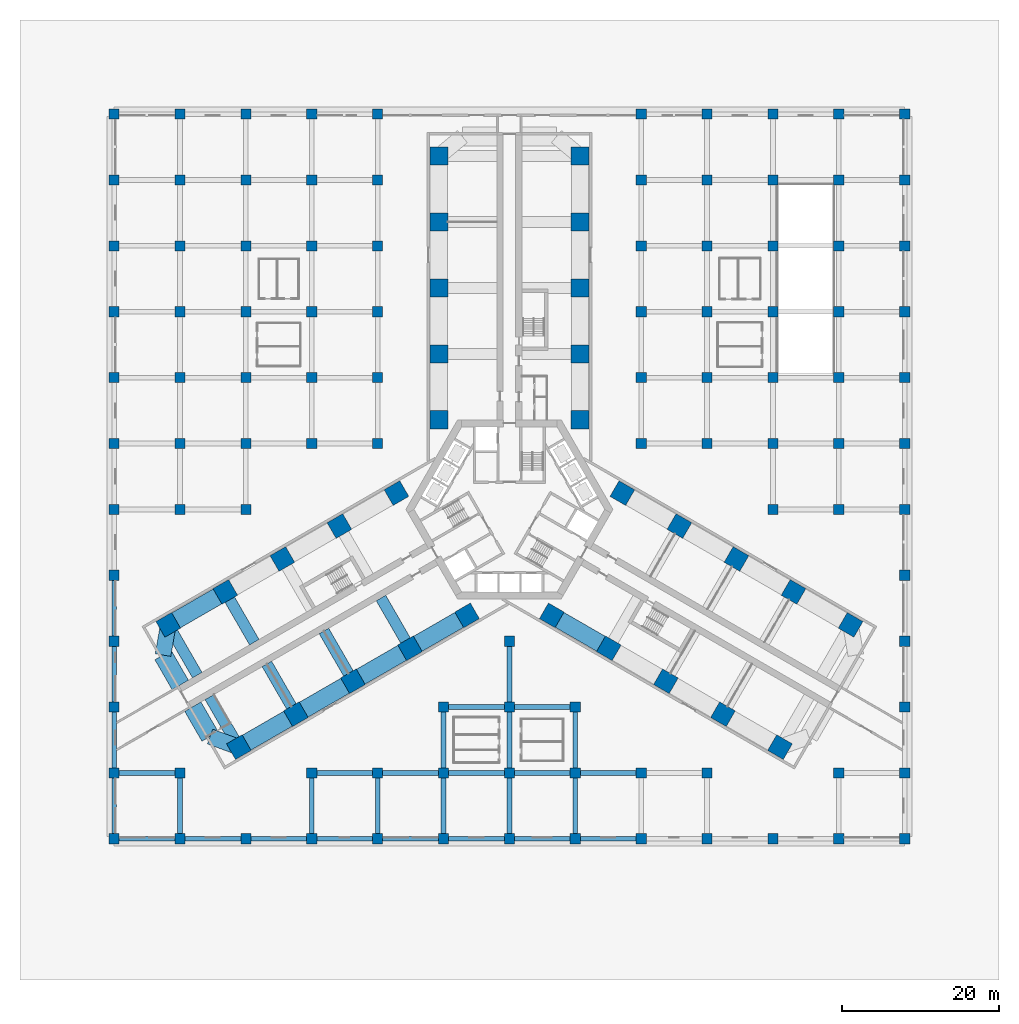
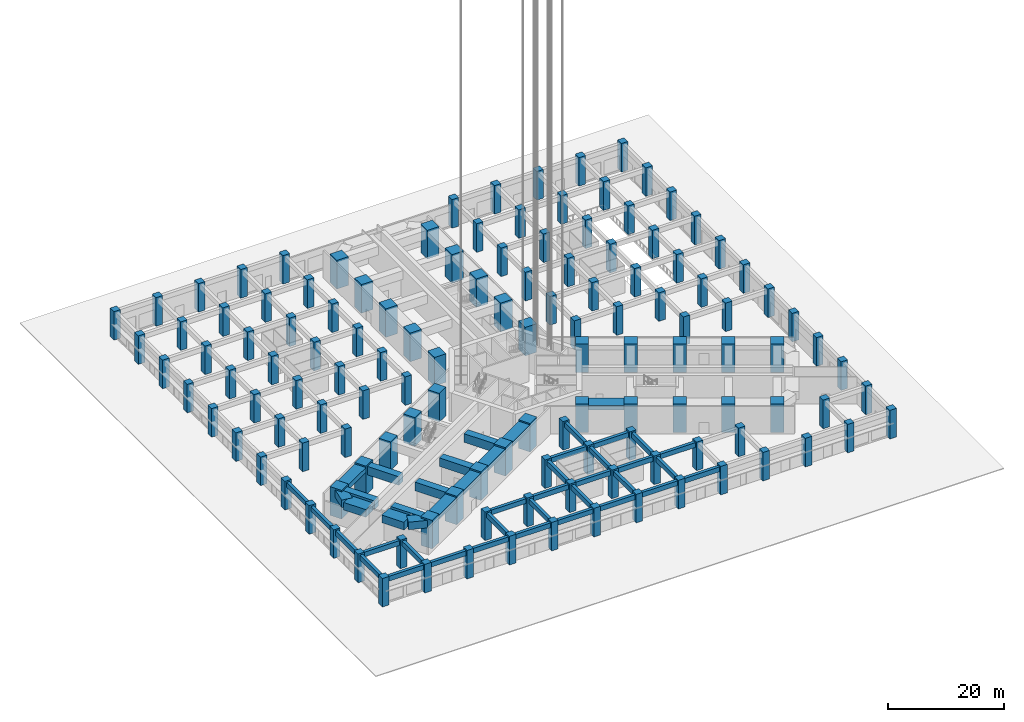
# One storey, part 1 of 33: 130 columns, 46 beams.
"""IFC4 building model written with IfcOpenShell, lengths in metres."""

from ifc_helpers import new_model, si_unit, direction, frame, origin, origin_2d, place, context, subcontext, project, spatial, rectangle, extrude, material, material_profile, profile_set, type_object, element, save


model = new_model("IFC4")

# Units and contexts
model_context = context("Model", 3, precision=1e-05, world=origin(), true_north=direction((0.0, 1.0)))
body_context = subcontext(model_context, "Body", "Model", "MODEL_VIEW")
ifc_project = project(units=[si_unit("LENGTHUNIT", "METRE"), si_unit("AREAUNIT", "SQUARE_METRE"), si_unit("VOLUMEUNIT", "CUBIC_METRE"), si_unit("PLANEANGLEUNIT", "RADIAN"), si_unit("MASSUNIT", "GRAM", prefix="KILO")], contexts=[model_context])

# Site, building, storey
site_placement = place(None, origin())
site = spatial("IfcSite", under=ifc_project, at=site_placement, CompositionType="ELEMENT")
building_placement = place(site_placement, origin())
building = spatial("IfcBuilding", under=site, at=building_placement, Name="Impinga Residences", CompositionType="ELEMENT")
storey_placement = place(building_placement, origin())
storey = spatial("IfcBuildingStorey", under=building, at=storey_placement, Name="L00", CompositionType="ELEMENT", Elevation=0.0)

# Columns
ifc_material_1 = material(Name="Concrete C70/85", Category="concrete")
ifc_material_profile_1 = material_profile(ifc_material_1, rectangle(XDim=2.300048828125, YDim=2.300048828125, at=origin_2d()), Name="RC 2300x2300")
ifc_profile_set_1 = profile_set([ifc_material_profile_1], Name="Concrete C70/85")
column_type_1 = type_object("IfcColumnType", Name="C1 2300x2300 column", PredefinedType="COLUMN", material=ifc_profile_set_1)
for number, where, z_axis, x_axis, name in (
    (1, (-9.0, 11.431640625, 0.0), (0.0, 0.0, 1.0), (1.0, 0.0, 0.0), "Column C1 N1/NA L00"),
    (2, (9.0, 11.431640625, 0.0), (0.0, 0.0, 1.0), (1.0, 0.0, 0.0), "Column C1 N1/NF L00"),
    (3, (-9.0, 19.83154296875, 0.0), (0.0, 0.0, 1.0), (1.0, 0.0, 0.0), "Column C1 N2/NA L00"),
    (4, (9.0, 19.83154296875, 0.0), (0.0, 0.0, 1.0), (1.0, 0.0, 0.0), "Column C1 N2/NF L00"),
    (5, (-9.0, 28.2314453125, 0.0), (0.0, 0.0, 1.0), (1.0, 0.0, 0.0), "Column C1 N3/NA L00"),
    (6, (9.0, 28.2314453125, 0.0), (0.0, 0.0, 1.0), (1.0, 0.0, 0.0), "Column C1 N3/NF L00"),
    (7, (-9.0, 36.631591796875, 0.0), (0.0, 0.0, 1.0), (1.0, 0.0, 0.0), "Column C1 N4/NA L00"),
    (8, (9.0, 36.631591796875, 0.0), (0.0, 0.0, 1.0), (1.0, 0.0, 0.0), "Column C1 N4/NF L00"),
    (9, (-9.0, 45.031494140625, 0.0), (0.0, 0.0, 1.0), (1.0, 0.0, 0.0), "Column C1 N5/NA L00"),
    (10, (9.0, 45.031494140625, 0.0), (0.0, 0.0, 1.0), (1.0, 0.0, 0.0), "Column C1 N5/NF L00"),
    (11, (-5.39990234375, -13.510009765625, 0.0), (0.0, 0.0, 1.0), (-0.5, 0.866025403784, 0.0), "Column C1 W1/WA L00"),
    (12, (-14.39990234375, 2.078369140625, 0.0), (0.0, 0.0, 1.0), (-0.5, 0.866025403784, 0.0), "Column C1 W1/WF L00"),
    (13, (-12.674560546875, -17.7099609375, 0.0), (0.0, 0.0, 1.0), (-0.5, 0.866025403784, 0.0), "Column C1 W2/WA L00"),
    (14, (-21.674560546875, -2.12158203125, 0.0), (0.0, 0.0, 1.0), (-0.5, 0.866025403784, 0.0), "Column C1 W2/WF L00"),
    (15, (-19.94921875, -21.909912109375, 0.0), (0.0, 0.0, 1.0), (-0.5, 0.866025403784, 0.0), "Column C1 W3/WA L00"),
    (16, (-28.94921875, -6.321533203125, 0.0), (0.0, 0.0, 1.0), (-0.5, 0.866025403784, 0.0), "Column C1 W3/WF L00"),
    (17, (-27.223876953125, -26.110107421875, 0.0), (0.0, 0.0, 1.0), (-0.5, 0.866025403784, 0.0), "Column C1 W4/WA L00"),
    (18, (-36.223876953125, -10.521484375, 0.0), (0.0, 0.0, 1.0), (-0.5, 0.866025403784, 0.0), "Column C1 W4/WF L00"),
    (19, (-34.49853515625, -30.31005859375, 0.0), (0.0, 0.0, 1.0), (-0.5, 0.866025403784, 0.0), "Column C1 W5/WA L00"),
    (20, (-43.49853515625, -14.721435546875, 0.0), (0.0, 0.0, 1.0), (-0.5, 0.866025403784, 0.0), "Column C1 W5/WF L00"),
    (21, (14.39990234375, 2.078369140625, 0.0), (0.0, 0.0, 1.0), (-0.5, -0.866025403784, 0.0), "Column C1 E1/EA L00"),
    (22, (5.39990234375, -13.510009765625, 0.0), (0.0, 0.0, 1.0), (-0.5, -0.866025403784, 0.0), "Column C1 E1/EF L00"),
    (23, (21.674560546875, -2.12158203125, 0.0), (0.0, 0.0, 1.0), (-0.5, -0.866025403784, 0.0), "Column C1 E2/EA L00"),
    (24, (12.674560546875, -17.7099609375, 0.0), (0.0, 0.0, 1.0), (-0.5, -0.866025403784, 0.0), "Column C1 E2/EF L00"),
    (25, (28.94921875, -6.321533203125, 0.0), (0.0, 0.0, 1.0), (-0.5, -0.866025403784, 0.0), "Column C1 E3/EA L00"),
    (26, (19.94921875, -21.909912109375, 0.0), (0.0, 0.0, 1.0), (-0.5, -0.866025403784, 0.0), "Column C1 E3/EF L00"),
    (27, (36.223876953125, -10.521484375, 0.0), (0.0, 0.0, 1.0), (-0.5, -0.866025403784, 0.0), "Column C1 E4/EA L00"),
    (28, (27.223876953125, -26.110107421875, 0.0), (0.0, 0.0, 1.0), (-0.5, -0.866025403784, 0.0), "Column C1 E4/EF L00"),
    (29, (43.49853515625, -14.721435546875, 0.0), (0.0, 0.0, 1.0), (-0.5, -0.866025403784, 0.0), "Column C1 E5/EA L00"),
    (30, (34.49853515625, -30.31005859375, 0.0), (0.0, 0.0, 1.0), (-0.5, -0.866025403784, 0.0), "Column C1 E5/EF L00"),
):
    element("IfcColumn", number, at=place(storey_placement, frame(where, z_axis=z_axis, x_axis=x_axis)), inside=storey, type_object=column_type_1, Name=name, PredefinedType="COLUMN", context=body_context, shape_type="SweptSolid", body=[
        extrude(rectangle(XDim=2.300048828125, YDim=2.300048828125, at=origin_2d()), origin(), (0.0, 0.0, 1.0), 6.0),
    ])
ifc_material_profile_2 = material_profile(ifc_material_1, rectangle(XDim=1.300048828125, YDim=1.300048828125, at=origin_2d()), Name="RC 1300x1300")
ifc_profile_set_2 = profile_set([ifc_material_profile_2], Name="Concrete C70/85")
column_type_2 = type_object("IfcColumnType", Name="PC1 1300x1300 column", PredefinedType="COLUMN", material=ifc_profile_set_2)
for number, where, z_axis, x_axis, name in (
    (31, (-50.39990234375, -42.0, 0.0), (0.0, 0.0, 1.0), (1.0, 0.0, 0.0), "Column PC1 1/A L00"),
    (32, (-50.39990234375, -33.60009765625, 0.0), (0.0, 0.0, 1.0), (1.0, 0.0, 0.0), "Column PC1 1/B L00"),
    (33, (-50.39990234375, -25.199951171875, 0.0), (0.0, 0.0, 1.0), (1.0, 0.0, 0.0), "Column PC1 1/C L00"),
    (34, (-50.39990234375, -16.800048828125, 0.0), (0.0, 0.0, 1.0), (1.0, 0.0, 0.0), "Column PC1 1/D L00"),
    (35, (-50.39990234375, -8.39990234375, 0.0), (0.0, 0.0, 1.0), (1.0, 0.0, 0.0), "Column PC1 1/E L00"),
    (36, (-50.39990234375, 0.0, 0.0), (0.0, 0.0, 1.0), (1.0, 0.0, 0.0), "Column PC1 1/F L00"),
    (37, (-50.39990234375, 8.39990234375, 0.0), (0.0, 0.0, 1.0), (1.0, 0.0, 0.0), "Column PC1 1/G L00"),
    (38, (-50.39990234375, 16.800048828125, 0.0), (0.0, 0.0, 1.0), (1.0, 0.0, 0.0), "Column PC1 1/H L00"),
    (39, (-50.39990234375, 25.199951171875, 0.0), (0.0, 0.0, 1.0), (1.0, 0.0, 0.0), "Column PC1 1/J L00"),
    (40, (-50.39990234375, 33.60009765625, 0.0), (0.0, 0.0, 1.0), (1.0, 0.0, 0.0), "Column PC1 1/K L00"),
    (41, (-50.39990234375, 42.0, 0.0), (0.0, 0.0, 1.0), (1.0, 0.0, 0.0), "Column PC1 1/L L00"),
    (42, (-50.39990234375, 50.39990234375, 0.0), (0.0, 0.0, 1.0), (1.0, 0.0, 0.0), "Column PC1 1/M L00"),
    (43, (-42.0, -42.0, 0.0), (0.0, 0.0, 1.0), (1.0, 0.0, 0.0), "Column PC1 2/A L00"),
    (44, (-42.0, -33.60009765625, 0.0), (0.0, 0.0, 1.0), (1.0, 0.0, 0.0), "Column PC1 2/B L00"),
    (45, (-42.0, 0.0, 0.0), (0.0, 0.0, 1.0), (1.0, 0.0, 0.0), "Column PC1 2/F L00"),
    (46, (-42.0, 8.39990234375, 0.0), (0.0, 0.0, 1.0), (1.0, 0.0, 0.0), "Column PC1 2/G L00"),
    (47, (-42.0, 16.800048828125, 0.0), (0.0, 0.0, 1.0), (1.0, 0.0, 0.0), "Column PC1 2/H L00"),
    (48, (-42.0, 25.199951171875, 0.0), (0.0, 0.0, 1.0), (1.0, 0.0, 0.0), "Column PC1 2/J L00"),
    (49, (-42.0, 33.60009765625, 0.0), (0.0, 0.0, 1.0), (1.0, 0.0, 0.0), "Column PC1 2/K L00"),
    (50, (-42.0, 42.0, 0.0), (0.0, 0.0, 1.0), (1.0, 0.0, 0.0), "Column PC1 2/L L00"),
    (51, (-42.0, 50.39990234375, 0.0), (0.0, 0.0, 1.0), (1.0, 0.0, 0.0), "Column PC1 2/M L00"),
    (52, (-33.60009765625, -42.0, 0.0), (0.0, 0.0, 1.0), (1.0, 0.0, 0.0), "Column PC1 3/A L00"),
    (53, (-33.60009765625, 0.0, 0.0), (0.0, 0.0, 1.0), (1.0, 0.0, 0.0), "Column PC1 3/F L00"),
    (54, (-33.60009765625, 8.39990234375, 0.0), (0.0, 0.0, 1.0), (1.0, 0.0, 0.0), "Column PC1 3/G L00"),
    (55, (-33.60009765625, 16.800048828125, 0.0), (0.0, 0.0, 1.0), (1.0, 0.0, 0.0), "Column PC1 3/H L00"),
    (56, (-33.60009765625, 25.199951171875, 0.0), (0.0, 0.0, 1.0), (1.0, 0.0, 0.0), "Column PC1 3/J L00"),
    (57, (-33.60009765625, 33.60009765625, 0.0), (0.0, 0.0, 1.0), (1.0, 0.0, 0.0), "Column PC1 3/K L00"),
    (58, (-33.60009765625, 42.0, 0.0), (0.0, 0.0, 1.0), (1.0, 0.0, 0.0), "Column PC1 3/L L00"),
    (59, (-33.60009765625, 50.39990234375, 0.0), (0.0, 0.0, 1.0), (1.0, 0.0, 0.0), "Column PC1 3/M L00"),
    (60, (-25.199951171875, -42.0, 0.0), (0.0, 0.0, 1.0), (1.0, 0.0, 0.0), "Column PC1 4/A L00"),
    (61, (-25.199951171875, -33.60009765625, 0.0), (0.0, 0.0, 1.0), (1.0, 0.0, 0.0), "Column PC1 4/B L00"),
    (62, (-25.199951171875, 8.39990234375, 0.0), (0.0, 0.0, 1.0), (1.0, 0.0, 0.0), "Column PC1 4/G L00"),
    (63, (-25.199951171875, 16.800048828125, 0.0), (0.0, 0.0, 1.0), (1.0, 0.0, 0.0), "Column PC1 4/H L00"),
    (64, (-25.199951171875, 25.199951171875, 0.0), (0.0, 0.0, 1.0), (1.0, 0.0, 0.0), "Column PC1 4/J L00"),
    (65, (-25.199951171875, 33.60009765625, 0.0), (0.0, 0.0, 1.0), (1.0, 0.0, 0.0), "Column PC1 4/K L00"),
    (66, (-25.199951171875, 42.0, 0.0), (0.0, 0.0, 1.0), (1.0, 0.0, 0.0), "Column PC1 4/L L00"),
    (67, (-25.199951171875, 50.39990234375, 0.0), (0.0, 0.0, 1.0), (1.0, 0.0, 0.0), "Column PC1 4/M L00"),
    (68, (-16.800048828125, -42.0, 0.0), (0.0, 0.0, 1.0), (1.0, 0.0, 0.0), "Column PC1 5/A L00"),
    (69, (-16.800048828125, -33.60009765625, 0.0), (0.0, 0.0, 1.0), (1.0, 0.0, 0.0), "Column PC1 5/B L00"),
    (70, (-16.800048828125, 8.39990234375, 0.0), (0.0, 0.0, 1.0), (1.0, 0.0, 0.0), "Column PC1 5/G L00"),
    (71, (-16.800048828125, 16.800048828125, 0.0), (0.0, 0.0, 1.0), (1.0, 0.0, 0.0), "Column PC1 5/H L00"),
    (72, (-16.800048828125, 25.199951171875, 0.0), (0.0, 0.0, 1.0), (1.0, 0.0, 0.0), "Column PC1 5/J L00"),
    (73, (-16.800048828125, 33.60009765625, 0.0), (0.0, 0.0, 1.0), (1.0, 0.0, 0.0), "Column PC1 5/K L00"),
    (74, (-16.800048828125, 42.0, 0.0), (0.0, 0.0, 1.0), (1.0, 0.0, 0.0), "Column PC1 5/L L00"),
    (75, (-16.800048828125, 50.39990234375, 0.0), (0.0, 0.0, 1.0), (1.0, 0.0, 0.0), "Column PC1 5/M L00"),
    (76, (-8.39990234375, -42.0, 0.0), (0.0, 0.0, 1.0), (1.0, 0.0, 0.0), "Column PC1 6/A L00"),
    (77, (-8.39990234375, -33.60009765625, 0.0), (0.0, 0.0, 1.0), (1.0, 0.0, 0.0), "Column PC1 6/B L00"),
    (78, (-8.39990234375, -25.199951171875, 0.0), (0.0, 0.0, 1.0), (1.0, 0.0, 0.0), "Column PC1 6/C L00"),
    (79, (0.0, -42.0, 0.0), (0.0, 0.0, 1.0), (1.0, 0.0, 0.0), "Column PC1 7/A L00"),
    (80, (0.0, -33.60009765625, 0.0), (0.0, 0.0, 1.0), (1.0, 0.0, 0.0), "Column PC1 7/B L00"),
    (81, (0.0, -25.199951171875, 0.0), (0.0, 0.0, 1.0), (1.0, 0.0, 0.0), "Column PC1 7/C L00"),
    (82, (0.0, -16.800048828125, 0.0), (0.0, 0.0, 1.0), (1.0, 0.0, 0.0), "Column PC1 7/D L00"),
    (83, (8.39990234375, -42.0, 0.0), (0.0, 0.0, 1.0), (1.0, 0.0, 0.0), "Column PC1 8/A L00"),
    (84, (8.39990234375, -33.60009765625, 0.0), (0.0, 0.0, 1.0), (1.0, 0.0, 0.0), "Column PC1 8/B L00"),
    (85, (8.39990234375, -25.199951171875, 0.0), (0.0, 0.0, 1.0), (1.0, 0.0, 0.0), "Column PC1 8/C L00"),
    (86, (16.800048828125, -42.0, 0.0), (0.0, 0.0, 1.0), (1.0, 0.0, 0.0), "Column PC1 9/A L00"),
    (87, (16.800048828125, -33.60009765625, 0.0), (0.0, 0.0, 1.0), (1.0, 0.0, 0.0), "Column PC1 9/B L00"),
    (88, (16.800048828125, 8.39990234375, 0.0), (0.0, 0.0, 1.0), (1.0, 0.0, 0.0), "Column PC1 9/G L00"),
    (89, (16.800048828125, 16.800048828125, 0.0), (0.0, 0.0, 1.0), (1.0, 0.0, 0.0), "Column PC1 9/H L00"),
    (90, (16.800048828125, 25.199951171875, 0.0), (0.0, 0.0, 1.0), (1.0, 0.0, 0.0), "Column PC1 9/J L00"),
    (91, (16.800048828125, 33.60009765625, 0.0), (0.0, 0.0, 1.0), (1.0, 0.0, 0.0), "Column PC1 9/K L00"),
    (92, (16.800048828125, 42.0, 0.0), (0.0, 0.0, 1.0), (1.0, 0.0, 0.0), "Column PC1 9/L L00"),
    (93, (16.800048828125, 50.39990234375, 0.0), (0.0, 0.0, 1.0), (1.0, 0.0, 0.0), "Column PC1 9/M L00"),
    (94, (25.199951171875, -42.0, 0.0), (0.0, 0.0, 1.0), (1.0, 0.0, 0.0), "Column PC1 10/A L00"),
    (95, (25.199951171875, -33.60009765625, 0.0), (0.0, 0.0, 1.0), (1.0, 0.0, 0.0), "Column PC1 10/B L00"),
    (96, (25.199951171875, 8.39990234375, 0.0), (0.0, 0.0, 1.0), (1.0, 0.0, 0.0), "Column PC1 10/G L00"),
    (97, (25.199951171875, 16.800048828125, 0.0), (0.0, 0.0, 1.0), (1.0, 0.0, 0.0), "Column PC1 10/H L00"),
    (98, (25.199951171875, 25.199951171875, 0.0), (0.0, 0.0, 1.0), (1.0, 0.0, 0.0), "Column PC1 10/J L00"),
    (99, (25.199951171875, 33.60009765625, 0.0), (0.0, 0.0, 1.0), (1.0, 0.0, 0.0), "Column PC1 10/K L00"),
    (100, (25.199951171875, 42.0, 0.0), (0.0, 0.0, 1.0), (1.0, 0.0, 0.0), "Column PC1 10/L L00"),
    (101, (25.199951171875, 50.39990234375, 0.0), (0.0, 0.0, 1.0), (1.0, 0.0, 0.0), "Column PC1 10/M L00"),
    (102, (33.60009765625, -42.0, 0.0), (0.0, 0.0, 1.0), (1.0, 0.0, 0.0), "Column PC1 11/A L00"),
    (103, (33.60009765625, 0.0, 0.0), (0.0, 0.0, 1.0), (1.0, 0.0, 0.0), "Column PC1 11/F L00"),
    (104, (33.60009765625, 8.39990234375, 0.0), (0.0, 0.0, 1.0), (1.0, 0.0, 0.0), "Column PC1 11/G L00"),
    (105, (33.60009765625, 16.800048828125, 0.0), (0.0, 0.0, 1.0), (1.0, 0.0, 0.0), "Column PC1 11/H L00"),
    (106, (33.60009765625, 25.199951171875, 0.0), (0.0, 0.0, 1.0), (1.0, 0.0, 0.0), "Column PC1 11/J L00"),
    (107, (33.60009765625, 33.60009765625, 0.0), (0.0, 0.0, 1.0), (1.0, 0.0, 0.0), "Column PC1 11/K L00"),
    (108, (33.60009765625, 42.0, 0.0), (0.0, 0.0, 1.0), (1.0, 0.0, 0.0), "Column PC1 11/L L00"),
    (109, (33.60009765625, 50.39990234375, 0.0), (0.0, 0.0, 1.0), (1.0, 0.0, 0.0), "Column PC1 11/M L00"),
    (110, (42.0, -42.0, 0.0), (0.0, 0.0, 1.0), (1.0, 0.0, 0.0), "Column PC1 12/A L00"),
    (111, (42.0, -33.60009765625, 0.0), (0.0, 0.0, 1.0), (1.0, 0.0, 0.0), "Column PC1 12/B L00"),
    (112, (42.0, 0.0, 0.0), (0.0, 0.0, 1.0), (1.0, 0.0, 0.0), "Column PC1 12/F L00"),
    (113, (42.0, 8.39990234375, 0.0), (0.0, 0.0, 1.0), (1.0, 0.0, 0.0), "Column PC1 12/G L00"),
    (114, (42.0, 16.800048828125, 0.0), (0.0, 0.0, 1.0), (1.0, 0.0, 0.0), "Column PC1 12/H L00"),
    (115, (42.0, 25.199951171875, 0.0), (0.0, 0.0, 1.0), (1.0, 0.0, 0.0), "Column PC1 12/J L00"),
    (116, (42.0, 33.60009765625, 0.0), (0.0, 0.0, 1.0), (1.0, 0.0, 0.0), "Column PC1 12/K L00"),
    (117, (42.0, 42.0, 0.0), (0.0, 0.0, 1.0), (1.0, 0.0, 0.0), "Column PC1 12/L L00"),
    (118, (42.0, 50.39990234375, 0.0), (0.0, 0.0, 1.0), (1.0, 0.0, 0.0), "Column PC1 12/M L00"),
    (119, (50.39990234375, -42.0, 0.0), (0.0, 0.0, 1.0), (1.0, 0.0, 0.0), "Column PC1 13/A L00"),
    (120, (50.39990234375, -33.60009765625, 0.0), (0.0, 0.0, 1.0), (1.0, 0.0, 0.0), "Column PC1 13/B L00"),
    (121, (50.39990234375, -25.199951171875, 0.0), (0.0, 0.0, 1.0), (1.0, 0.0, 0.0), "Column PC1 13/C L00"),
    (122, (50.39990234375, -16.800048828125, 0.0), (0.0, 0.0, 1.0), (1.0, 0.0, 0.0), "Column PC1 13/D L00"),
    (123, (50.39990234375, -8.39990234375, 0.0), (0.0, 0.0, 1.0), (1.0, 0.0, 0.0), "Column PC1 13/E L00"),
    (124, (50.39990234375, 0.0, 0.0), (0.0, 0.0, 1.0), (1.0, 0.0, 0.0), "Column PC1 13/F L00"),
    (125, (50.39990234375, 8.39990234375, 0.0), (0.0, 0.0, 1.0), (1.0, 0.0, 0.0), "Column PC1 13/G L00"),
    (126, (50.39990234375, 16.800048828125, 0.0), (0.0, 0.0, 1.0), (1.0, 0.0, 0.0), "Column PC1 13/H L00"),
    (127, (50.39990234375, 25.199951171875, 0.0), (0.0, 0.0, 1.0), (1.0, 0.0, 0.0), "Column PC1 13/J L00"),
    (128, (50.39990234375, 33.60009765625, 0.0), (0.0, 0.0, 1.0), (1.0, 0.0, 0.0), "Column PC1 13/K L00"),
    (129, (50.39990234375, 42.0, 0.0), (0.0, 0.0, 1.0), (1.0, 0.0, 0.0), "Column PC1 13/L L00"),
    (130, (50.39990234375, 50.39990234375, 0.0), (0.0, 0.0, 1.0), (1.0, 0.0, 0.0), "Column PC1 13/M L00"),
):
    element("IfcColumn", number, at=place(storey_placement, frame(where, z_axis=z_axis, x_axis=x_axis)), inside=storey, type_object=column_type_2, Name=name, PredefinedType="COLUMN", context=body_context, shape_type="SweptSolid", body=[
        extrude(rectangle(XDim=1.300048828125, YDim=1.300048828125, at=origin_2d()), origin(), (0.0, 0.0, 1.0), 6.0),
    ])

# Beams
ifc_material_2 = material(Name="Concrete C60/75", Category="concrete")
ifc_material_profile_3 = material_profile(ifc_material_2, rectangle(XDim=2.0, YDim=1.60009765625, at=origin_2d()), Name="RC 2000x1600")
ifc_profile_set_3 = profile_set([ifc_material_profile_3], Name="Concrete C60/75")
beam_type_1 = type_object("IfcBeamType", Name="CB2 2000x1600 wing end cantilever beam", PredefinedType="BEAM", material=ifc_profile_set_3)
beam_1_placement = place(storey_placement, frame((-34.49853515625, -30.31005859375, 4.89990234375), z_axis=(-0.938520178725, 0.345224382289, 0.0), x_axis=(-0.345224382289, -0.938520178725, 0.0)))
element("IfcBeam", 131, at=beam_1_placement, inside=storey, type_object=beam_type_1, Name="Beam CB2 WB W5-WX level L01", PredefinedType="BEAM", context=body_context, shape_type="SweptSolid", body=[
    extrude(rectangle(XDim=2.0, YDim=1.60009765625, at=origin_2d()), origin(), (0.0, 0.0, 1.0), 3.905029296875),
])
beam_2_placement = place(storey_placement, frame((-43.49853515625, -14.721435546875, 4.89990234375), z_axis=(-0.170296298948, -0.985392901621, 0.0), x_axis=(0.985392901621, -0.170296298948, 0.0)))
element("IfcBeam", 132, at=beam_2_placement, inside=storey, type_object=beam_type_1, Name="Beam CB2 WE W5-WX level L01", PredefinedType="BEAM", context=body_context, shape_type="SweptSolid", body=[
    extrude(rectangle(XDim=2.0, YDim=1.60009765625, at=origin_2d()), origin(), (0.0, 0.0, 1.0), 3.9052734375),
])
ifc_material_profile_4 = material_profile(ifc_material_2, rectangle(XDim=1.39990234375, YDim=1.800048828125, at=origin_2d()), Name="RC 1400x1800")
ifc_profile_set_4 = profile_set([ifc_material_profile_4], Name="Concrete C60/75")
beam_type_2 = type_object("IfcBeamType", Name="CG4 1400x1800 cross girder on a wing bay line under the podium floors", PredefinedType="BEAM", material=ifc_profile_set_4)
for number, where, z_axis, x_axis, name in (
    (133, (-16.37451171875, -11.301513671875, 4.800048828125), (0.500003285667, -0.866023506795, 0.0), (0.866023506795, 0.500003285667, 0.0), "Beam CG4 W2 WC/WA level L01"),
    (134, (-23.649169921875, -15.50146484375, 4.800048828125), (0.500003285667, -0.866023506795, 0.0), (0.866023506795, 0.500003285667, 0.0), "Beam CG4 W3 WC/WA level L01"),
):
    element("IfcBeam", number, at=place(storey_placement, frame(where, z_axis=z_axis, x_axis=x_axis)), inside=storey, type_object=beam_type_2, Name=name, PredefinedType="BEAM", context=body_context, shape_type="SweptSolid", body=[
        extrude(rectangle(XDim=1.39990234375, YDim=1.800048828125, at=origin_2d()), origin(), (0.0, 0.0, 1.0), 7.39990234375),
    ])
for number, where, z_axis, x_axis, name in (
    (135, (-30.923828125, -19.701416015625, 4.800048828125), (0.499988999718, -0.866031754707, 0.0), (0.866031754707, 0.499988999718, 0.0), "Beam CG4 W4 WC/WA level L01"),
    (136, (-38.198486328125, -23.9013671875, 4.800048828125), (0.499988999718, -0.866031754707, 0.0), (0.866031754707, 0.499988999718, 0.0), "Beam CG4 W5 WC/WA level L01"),
    (137, (-32.52392578125, -16.93017578125, 4.800048828125), (-0.499988999718, 0.866031754707, 0.0), (-0.866031754707, -0.499988999718, 0.0), "Beam CG4 W4 WC/WF level L01"),
    (138, (-39.79833984375, -21.130126953125, 4.800048828125), (-0.500013743233, 0.86601746898, 0.0), (-0.86601746898, -0.500013743233, 0.0), "Beam CG4 W5 WC/WF level L01"),
):
    element("IfcBeam", number, at=place(storey_placement, frame(where, z_axis=z_axis, x_axis=x_axis)), inside=storey, type_object=beam_type_2, Name=name, PredefinedType="BEAM", context=body_context, shape_type="SweptSolid", body=[
        extrude(rectangle(XDim=1.39990234375, YDim=1.800048828125, at=origin_2d()), origin(), (0.0, 0.0, 1.0), 7.400146484375),
    ])
ifc_material_profile_5 = material_profile(ifc_material_2, rectangle(XDim=2.39990234375, YDim=1.60009765625, at=origin_2d()), Name="RC 2400x1600")
ifc_profile_set_5 = profile_set([ifc_material_profile_5], Name="Concrete C60/75")
beam_type_3 = type_object("IfcBeamType", Name="EB2 2400x1600 wing end beam", PredefinedType="BEAM", material=ifc_profile_set_5)
for number, where, z_axis, x_axis, name in (
    (139, (-38.16357421875, -28.9619140625, 4.89990234375), (-0.499988222896, 0.866032203192, 0.0), (-0.866032203192, -0.499988222896, 0.0), "Beam EB2 WX4 level L01"),
    (140, (-41.963623046875, -22.380126953125, 4.89990234375), (-0.499988222896, 0.866032203192, 0.0), (-0.866032203192, -0.499988222896, 0.0), "Beam EB2 WX4 level L01"),
):
    element("IfcBeam", number, at=place(storey_placement, frame(where, z_axis=z_axis, x_axis=x_axis)), inside=storey, type_object=beam_type_3, Name=name, PredefinedType="BEAM", context=body_context, shape_type="SweptSolid", body=[
        extrude(rectangle(XDim=2.39990234375, YDim=1.60009765625, at=origin_2d()), origin(), (0.0, 0.0, 1.0), 4.39990234375),
    ])
ifc_material_profile_6 = material_profile(ifc_material_2, rectangle(XDim=0.60009765625, YDim=1.0, at=origin_2d()), Name="RC 600x1000")
ifc_profile_set_6 = profile_set([ifc_material_profile_6], Name="Concrete C60/75")
beam_type_4 = type_object("IfcBeamType", Name="PB2 600x1000 podium beam", PredefinedType="BEAM", material=ifc_profile_set_6)
for number, where, z_axis, x_axis, name in (
    (141, (-50.39990234375, -42.0, 5.199951171875), (1.0, 0.0, 0.0), (0.0, 1.0, 0.0), "Beam PB2 A/1-2 level L01"),
    (142, (-42.0, -42.0, 5.199951171875), (1.0, 0.0, 0.0), (0.0, 1.0, 0.0), "Beam PB2 A/2-3 level L01"),
):
    element("IfcBeam", number, at=place(storey_placement, frame(where, z_axis=z_axis, x_axis=x_axis)), inside=storey, type_object=beam_type_4, Name=name, PredefinedType="BEAM", context=body_context, shape_type="SweptSolid", body=[
        extrude(rectangle(XDim=0.60009765625, YDim=1.0, at=origin_2d()), origin(), (0.0, 0.0, 1.0), 8.39990234375),
    ])
beam_3_placement = place(storey_placement, frame((-33.60009765625, -42.0, 5.199951171875), z_axis=(1.0, 0.0, 0.0), x_axis=(0.0, 1.0, 0.0)))
element("IfcBeam", 143, at=beam_3_placement, inside=storey, type_object=beam_type_4, Name="Beam PB2 A/3-4 level L01", PredefinedType="BEAM", context=body_context, shape_type="SweptSolid", body=[
    extrude(rectangle(XDim=0.60009765625, YDim=1.0, at=origin_2d()), origin(), (0.0, 0.0, 1.0), 8.400146484375),
])
beam_4_placement = place(storey_placement, frame((-25.199951171875, -42.0, 5.199951171875), z_axis=(1.0, 0.0, 0.0), x_axis=(0.0, 1.0, 0.0)))
element("IfcBeam", 144, at=beam_4_placement, inside=storey, type_object=beam_type_4, Name="Beam PB2 A/4-5 level L01", PredefinedType="BEAM", context=body_context, shape_type="SweptSolid", body=[
    extrude(rectangle(XDim=0.60009765625, YDim=1.0, at=origin_2d()), origin(), (0.0, 0.0, 1.0), 8.39990234375),
])
beam_5_placement = place(storey_placement, frame((-16.800048828125, -42.0, 5.199951171875), z_axis=(1.0, 0.0, 0.0), x_axis=(0.0, 1.0, 0.0)))
element("IfcBeam", 145, at=beam_5_placement, inside=storey, type_object=beam_type_4, Name="Beam PB2 A/5-6 level L01", PredefinedType="BEAM", context=body_context, shape_type="SweptSolid", body=[
    extrude(rectangle(XDim=0.60009765625, YDim=1.0, at=origin_2d()), origin(), (0.0, 0.0, 1.0), 8.400146484375),
])
for number, where, z_axis, x_axis, name in (
    (146, (-8.39990234375, -42.0, 5.199951171875), (1.0, 0.0, 0.0), (0.0, 1.0, 0.0), "Beam PB2 A/6-7 level L01"),
    (147, (0.0, -42.0, 5.199951171875), (1.0, 0.0, 0.0), (0.0, 1.0, 0.0), "Beam PB2 A/7-8 level L01"),
):
    element("IfcBeam", number, at=place(storey_placement, frame(where, z_axis=z_axis, x_axis=x_axis)), inside=storey, type_object=beam_type_4, Name=name, PredefinedType="BEAM", context=body_context, shape_type="SweptSolid", body=[
        extrude(rectangle(XDim=0.60009765625, YDim=1.0, at=origin_2d()), origin(), (0.0, 0.0, 1.0), 8.39990234375),
    ])
beam_6_placement = place(storey_placement, frame((8.39990234375, -42.0, 5.199951171875), z_axis=(1.0, 0.0, 0.0), x_axis=(0.0, 1.0, 0.0)))
element("IfcBeam", 148, at=beam_6_placement, inside=storey, type_object=beam_type_4, Name="Beam PB2 A/8-9 level L01", PredefinedType="BEAM", context=body_context, shape_type="SweptSolid", body=[
    extrude(rectangle(XDim=0.60009765625, YDim=1.0, at=origin_2d()), origin(), (0.0, 0.0, 1.0), 8.400146484375),
])
for number, where, z_axis, x_axis, name in (
    (149, (-50.39990234375, -33.60009765625, 5.199951171875), (1.0, 0.0, 0.0), (0.0, 1.0, 0.0), "Beam PB2 B/1-2 level L01"),
    (150, (-25.199951171875, -33.60009765625, 5.199951171875), (1.0, 0.0, 0.0), (0.0, 1.0, 0.0), "Beam PB2 B/4-5 level L01"),
):
    element("IfcBeam", number, at=place(storey_placement, frame(where, z_axis=z_axis, x_axis=x_axis)), inside=storey, type_object=beam_type_4, Name=name, PredefinedType="BEAM", context=body_context, shape_type="SweptSolid", body=[
        extrude(rectangle(XDim=0.60009765625, YDim=1.0, at=origin_2d()), origin(), (0.0, 0.0, 1.0), 8.39990234375),
    ])
beam_7_placement = place(storey_placement, frame((-16.800048828125, -33.60009765625, 5.199951171875), z_axis=(1.0, 0.0, 0.0), x_axis=(0.0, 1.0, 0.0)))
element("IfcBeam", 151, at=beam_7_placement, inside=storey, type_object=beam_type_4, Name="Beam PB2 B/5-6 level L01", PredefinedType="BEAM", context=body_context, shape_type="SweptSolid", body=[
    extrude(rectangle(XDim=0.60009765625, YDim=1.0, at=origin_2d()), origin(), (0.0, 0.0, 1.0), 8.400146484375),
])
for number, where, z_axis, x_axis, name in (
    (152, (-8.39990234375, -33.60009765625, 5.199951171875), (1.0, 0.0, 0.0), (0.0, 1.0, 0.0), "Beam PB2 B/6-7 level L01"),
    (153, (0.0, -33.60009765625, 5.199951171875), (1.0, 0.0, 0.0), (0.0, 1.0, 0.0), "Beam PB2 B/7-8 level L01"),
):
    element("IfcBeam", number, at=place(storey_placement, frame(where, z_axis=z_axis, x_axis=x_axis)), inside=storey, type_object=beam_type_4, Name=name, PredefinedType="BEAM", context=body_context, shape_type="SweptSolid", body=[
        extrude(rectangle(XDim=0.60009765625, YDim=1.0, at=origin_2d()), origin(), (0.0, 0.0, 1.0), 8.39990234375),
    ])
beam_8_placement = place(storey_placement, frame((8.39990234375, -33.60009765625, 5.199951171875), z_axis=(1.0, 0.0, 0.0), x_axis=(0.0, 1.0, 0.0)))
element("IfcBeam", 154, at=beam_8_placement, inside=storey, type_object=beam_type_4, Name="Beam PB2 B/8-9 level L01", PredefinedType="BEAM", context=body_context, shape_type="SweptSolid", body=[
    extrude(rectangle(XDim=0.60009765625, YDim=1.0, at=origin_2d()), origin(), (0.0, 0.0, 1.0), 8.400146484375),
])
for number, where, z_axis, x_axis, name in (
    (155, (-8.39990234375, -25.199951171875, 5.199951171875), (1.0, 0.0, 0.0), (0.0, 1.0, 0.0), "Beam PB2 C/6-7 level L01"),
    (156, (0.0, -25.199951171875, 5.199951171875), (1.0, 0.0, 0.0), (0.0, 1.0, 0.0), "Beam PB2 C/7-8 level L01"),
    (157, (-50.39990234375, -42.0, 5.199951171875), (0.0, 1.0, 0.0), (-1.0, 0.0, 0.0), "Beam PB2 1/A-B level L01"),
):
    element("IfcBeam", number, at=place(storey_placement, frame(where, z_axis=z_axis, x_axis=x_axis)), inside=storey, type_object=beam_type_4, Name=name, PredefinedType="BEAM", context=body_context, shape_type="SweptSolid", body=[
        extrude(rectangle(XDim=0.60009765625, YDim=1.0, at=origin_2d()), origin(), (0.0, 0.0, 1.0), 8.39990234375),
    ])
beam_9_placement = place(storey_placement, frame((-50.39990234375, -33.60009765625, 5.199951171875), z_axis=(0.0, 1.0, 0.0), x_axis=(-1.0, 0.0, 0.0)))
element("IfcBeam", 158, at=beam_9_placement, inside=storey, type_object=beam_type_4, Name="Beam PB2 1/B-C level L01", PredefinedType="BEAM", context=body_context, shape_type="SweptSolid", body=[
    extrude(rectangle(XDim=0.60009765625, YDim=1.0, at=origin_2d()), origin(), (0.0, 0.0, 1.0), 8.400146484375),
])
beam_10_placement = place(storey_placement, frame((-50.39990234375, -25.199951171875, 5.199951171875), z_axis=(0.0, 1.0, 0.0), x_axis=(-1.0, 0.0, 0.0)))
element("IfcBeam", 159, at=beam_10_placement, inside=storey, type_object=beam_type_4, Name="Beam PB2 1/C-D level L01", PredefinedType="BEAM", context=body_context, shape_type="SweptSolid", body=[
    extrude(rectangle(XDim=0.60009765625, YDim=1.0, at=origin_2d()), origin(), (0.0, 0.0, 1.0), 8.39990234375),
])
beam_11_placement = place(storey_placement, frame((-50.39990234375, -16.800048828125, 5.199951171875), z_axis=(0.0, 1.0, 0.0), x_axis=(-1.0, 0.0, 0.0)))
element("IfcBeam", 160, at=beam_11_placement, inside=storey, type_object=beam_type_4, Name="Beam PB2 1/D-E level L01", PredefinedType="BEAM", context=body_context, shape_type="SweptSolid", body=[
    extrude(rectangle(XDim=0.60009765625, YDim=1.0, at=origin_2d()), origin(), (0.0, 0.0, 1.0), 8.400146484375),
])
for number, where, z_axis, x_axis, name in (
    (161, (-42.0, -42.0, 5.199951171875), (0.0, 1.0, 0.0), (-1.0, 0.0, 0.0), "Beam PB2 2/A-B level L01"),
    (162, (-25.199951171875, -42.0, 5.199951171875), (0.0, 1.0, 0.0), (-1.0, 0.0, 0.0), "Beam PB2 4/A-B level L01"),
    (163, (-16.800048828125, -42.0, 5.199951171875), (0.0, 1.0, 0.0), (-1.0, 0.0, 0.0), "Beam PB2 5/A-B level L01"),
    (164, (-8.39990234375, -42.0, 5.199951171875), (0.0, 1.0, 0.0), (-1.0, 0.0, 0.0), "Beam PB2 6/A-B level L01"),
):
    element("IfcBeam", number, at=place(storey_placement, frame(where, z_axis=z_axis, x_axis=x_axis)), inside=storey, type_object=beam_type_4, Name=name, PredefinedType="BEAM", context=body_context, shape_type="SweptSolid", body=[
        extrude(rectangle(XDim=0.60009765625, YDim=1.0, at=origin_2d()), origin(), (0.0, 0.0, 1.0), 8.39990234375),
    ])
beam_12_placement = place(storey_placement, frame((-8.39990234375, -33.60009765625, 5.199951171875), z_axis=(0.0, 1.0, 0.0), x_axis=(-1.0, 0.0, 0.0)))
element("IfcBeam", 165, at=beam_12_placement, inside=storey, type_object=beam_type_4, Name="Beam PB2 6/B-C level L01", PredefinedType="BEAM", context=body_context, shape_type="SweptSolid", body=[
    extrude(rectangle(XDim=0.60009765625, YDim=1.0, at=origin_2d()), origin(), (0.0, 0.0, 1.0), 8.400146484375),
])
beam_13_placement = place(storey_placement, frame((0.0, -42.0, 5.199951171875), z_axis=(0.0, 1.0, 0.0), x_axis=(-1.0, 0.0, 0.0)))
element("IfcBeam", 166, at=beam_13_placement, inside=storey, type_object=beam_type_4, Name="Beam PB2 7/A-B level L01", PredefinedType="BEAM", context=body_context, shape_type="SweptSolid", body=[
    extrude(rectangle(XDim=0.60009765625, YDim=1.0, at=origin_2d()), origin(), (0.0, 0.0, 1.0), 8.39990234375),
])
beam_14_placement = place(storey_placement, frame((0.0, -33.60009765625, 5.199951171875), z_axis=(0.0, 1.0, 0.0), x_axis=(-1.0, 0.0, 0.0)))
element("IfcBeam", 167, at=beam_14_placement, inside=storey, type_object=beam_type_4, Name="Beam PB2 7/B-C level L01", PredefinedType="BEAM", context=body_context, shape_type="SweptSolid", body=[
    extrude(rectangle(XDim=0.60009765625, YDim=1.0, at=origin_2d()), origin(), (0.0, 0.0, 1.0), 8.400146484375),
])
for number, where, z_axis, x_axis, name in (
    (168, (0.0, -25.199951171875, 5.199951171875), (0.0, 1.0, 0.0), (-1.0, 0.0, 0.0), "Beam PB2 7/C-D level L01"),
    (169, (8.39990234375, -42.0, 5.199951171875), (0.0, 1.0, 0.0), (-1.0, 0.0, 0.0), "Beam PB2 8/A-B level L01"),
):
    element("IfcBeam", number, at=place(storey_placement, frame(where, z_axis=z_axis, x_axis=x_axis)), inside=storey, type_object=beam_type_4, Name=name, PredefinedType="BEAM", context=body_context, shape_type="SweptSolid", body=[
        extrude(rectangle(XDim=0.60009765625, YDim=1.0, at=origin_2d()), origin(), (0.0, 0.0, 1.0), 8.39990234375),
    ])
beam_15_placement = place(storey_placement, frame((8.39990234375, -33.60009765625, 5.199951171875), z_axis=(0.0, 1.0, 0.0), x_axis=(-1.0, 0.0, 0.0)))
element("IfcBeam", 170, at=beam_15_placement, inside=storey, type_object=beam_type_4, Name="Beam PB2 8/B-C level L01", PredefinedType="BEAM", context=body_context, shape_type="SweptSolid", body=[
    extrude(rectangle(XDim=0.60009765625, YDim=1.0, at=origin_2d()), origin(), (0.0, 0.0, 1.0), 8.400146484375),
])
ifc_material_profile_7 = material_profile(ifc_material_2, rectangle(XDim=2.199951171875, YDim=1.0, at=origin_2d()), Name="RC 2200x1000")
ifc_profile_set_7 = profile_set([ifc_material_profile_7], Name="Concrete C60/75")
beam_type_5 = type_object("IfcBeamType", Name="PB3 2200x1000 podium band beam", PredefinedType="BEAM", material=ifc_profile_set_7)
for number, where, z_axis, x_axis, name in (
    (171, (-5.39990234375, -13.510009765625, 5.199951171875), (-0.86602925447, -0.499993330357, 0.0), (0.499993330357, -0.86602925447, 0.0), "Beam PB3 WA W1-W2 level L01"),
    (172, (-12.674560546875, -17.7099609375, 5.199951171875), (-0.86602925447, -0.499993330357, 0.0), (0.499993330357, -0.86602925447, 0.0), "Beam PB3 WA W2-W3 level L01"),
):
    element("IfcBeam", number, at=place(storey_placement, frame(where, z_axis=z_axis, x_axis=x_axis)), inside=storey, type_object=beam_type_5, Name=name, PredefinedType="BEAM", context=body_context, shape_type="SweptSolid", body=[
        extrude(rectangle(XDim=2.199951171875, YDim=1.0, at=origin_2d()), origin(), (0.0, 0.0, 1.0), 8.39990234375),
    ])
beam_16_placement = place(storey_placement, frame((-19.94921875, -21.909912109375, 5.199951171875), z_axis=(-0.866016669275, -0.500015128309, 0.0), x_axis=(0.500015128309, -0.866016669275, 0.0)))
element("IfcBeam", 173, at=beam_16_placement, inside=storey, type_object=beam_type_5, Name="Beam PB3 WA W3-W4 level L01", PredefinedType="BEAM", context=body_context, shape_type="SweptSolid", body=[
    extrude(rectangle(XDim=2.199951171875, YDim=1.0, at=origin_2d()), origin(), (0.0, 0.0, 1.0), 8.400146484375),
])
for number, where, z_axis, x_axis, name in (
    (174, (-27.223876953125, -26.110107421875, 5.199951171875), (-0.86602925447, -0.499993330357, 0.0), (0.499993330357, -0.86602925447, 0.0), "Beam PB3 WA W4-W5 level L01"),
    (175, (-36.223876953125, -10.521484375, 5.199951171875), (-0.86602925447, -0.499993330357, 0.0), (0.499993330357, -0.86602925447, 0.0), "Beam PB3 WF W4-W5 level L01"),
    (176, (5.39990234375, -13.510009765625, 5.199951171875), (0.86602925447, -0.499993330357, 0.0), (0.499993330357, 0.86602925447, 0.0), "Beam PB3 EF E1-E2 level L01"),
):
    element("IfcBeam", number, at=place(storey_placement, frame(where, z_axis=z_axis, x_axis=x_axis)), inside=storey, type_object=beam_type_5, Name=name, PredefinedType="BEAM", context=body_context, shape_type="SweptSolid", body=[
        extrude(rectangle(XDim=2.199951171875, YDim=1.0, at=origin_2d()), origin(), (0.0, 0.0, 1.0), 8.39990234375),
    ])

save(model, "model.ifc")
